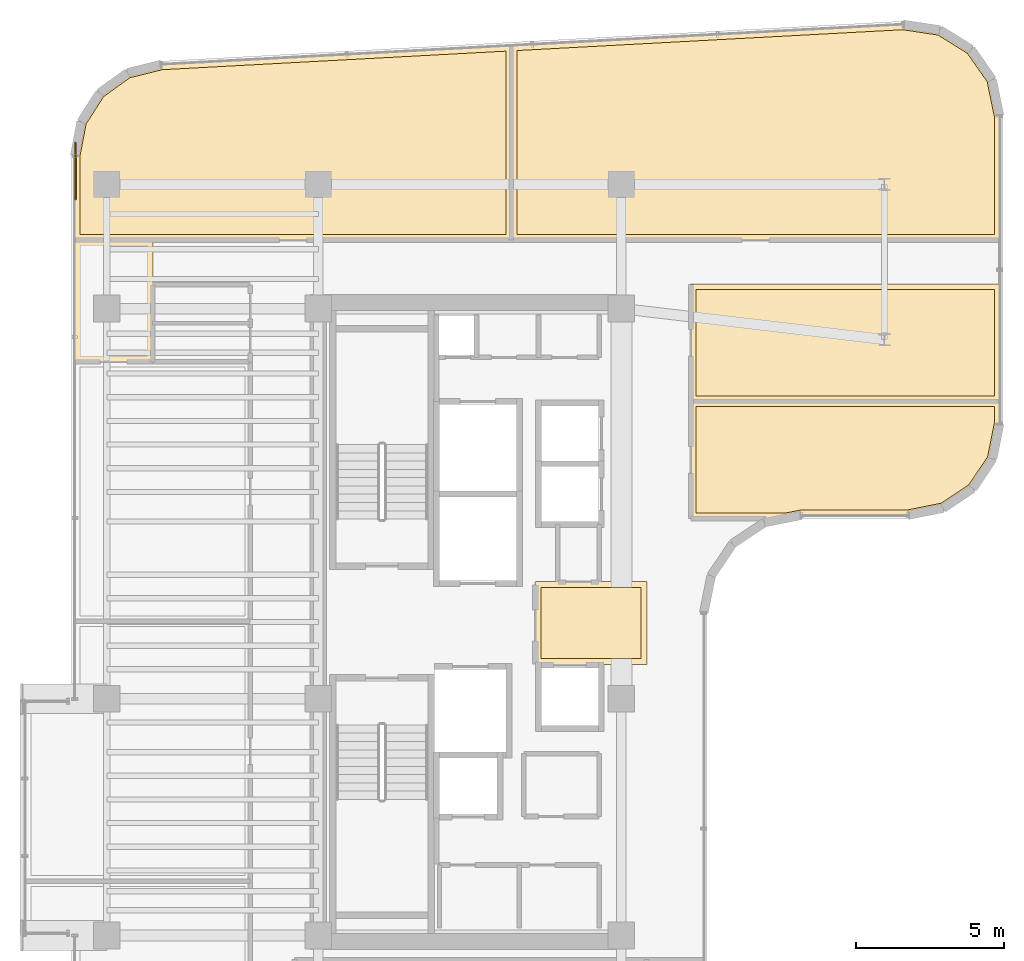
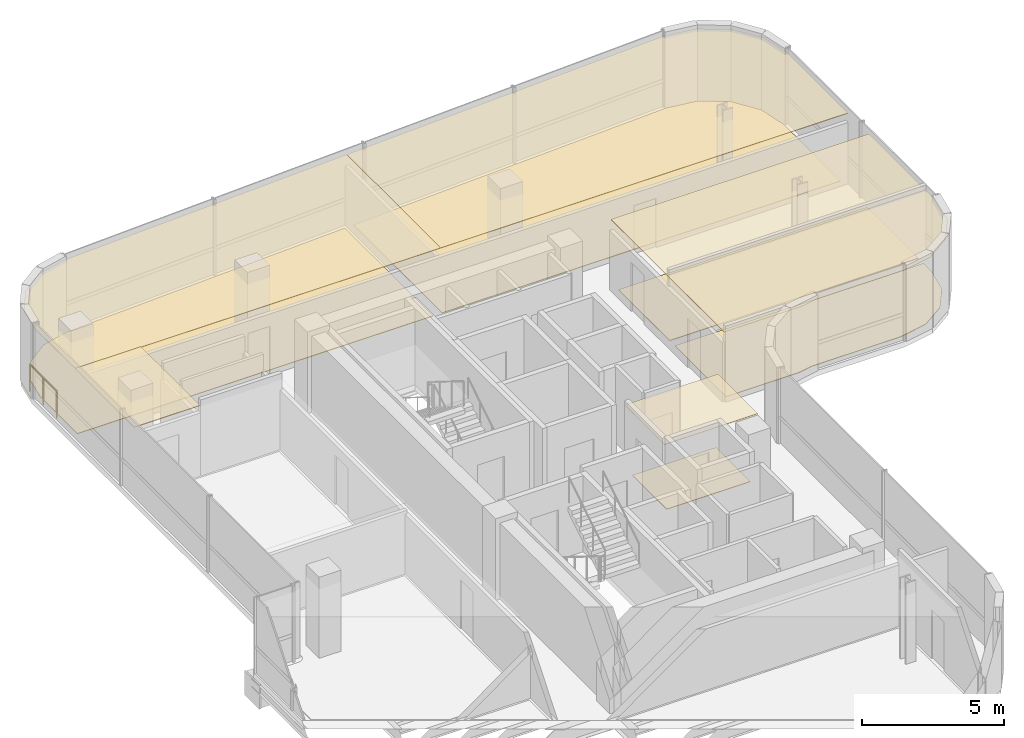
# One storey, part 22 of 22: 11 coverings, 1 railing.
"""IFC4 building model written with IfcOpenShell, lengths in metres."""

from ifc_helpers import new_model, si_unit, direction, frame, origin, origin_2d, place, context, subcontext, project, spatial, polyline, circle, outline, extrude, material, layer, layer_set, type_object, element, save


model = new_model("IFC4")

# Units and contexts
model_context = context("Model", 3, precision=1e-05, world=origin(), true_north=direction((0.0, 1.0)))
body_context = subcontext(model_context, "Body", "Model", "MODEL_VIEW")
ifc_project = project(units=[si_unit("LENGTHUNIT", "METRE"), si_unit("AREAUNIT", "SQUARE_METRE"), si_unit("VOLUMEUNIT", "CUBIC_METRE"), si_unit("PLANEANGLEUNIT", "RADIAN"), si_unit("MASSUNIT", "GRAM", prefix="KILO")], contexts=[model_context])

# Site, building, storey
site_placement = place(None, origin())
site = spatial("IfcSite", under=ifc_project, at=site_placement, CompositionType="ELEMENT")
building_placement = place(site_placement, origin())
building = spatial("IfcBuilding", under=site, at=building_placement, Name="Valdorenza Pilgrim Sanctuary Tower", CompositionType="ELEMENT")
storey_placement = place(building_placement, frame((0.0, 0.0, 237.0)))
storey = spatial("IfcBuildingStorey", under=building, at=storey_placement, Name="L61", CompositionType="ELEMENT", Elevation=237.0)

# Coverings
ifc_material_1 = material(Name="Micro-perforated acoustic mineral ceiling tile", Category="gypsum")
ifc_layer_1 = layer(ifc_material_1, 0.02490234375, Name="Micro-perforated acoustic mineral ceiling tile")
ifc_layer_set_1 = layer_set([ifc_layer_1], Name="Micro-perforated acoustic mineral ceiling tile")
covering_type_1 = type_object("IfcCoveringType", Name="COV-CLG-ACU", PredefinedType="CEILING", material=ifc_layer_set_1)
covering_1_placement = place(storey_placement, frame((0.0, 0.0, 2.9599609375)))
element("IfcCovering", 1, at=covering_1_placement, inside=storey, type_object=covering_type_1, Name="L61 Core A Passenger Lift Lobby Acoustic Ceiling", PredefinedType="CEILING", context=body_context, shape_type="SweptSolid", body=[
    extrude(outline(polyline([(-15.31494140625, 1.35009765625), (-15.31494140625, 1.3515625), (-15.314697265625, 1.352783203125), (-15.314453125, 1.3544921875), (-15.31396484375, 1.355712890625), (-15.313232421875, 1.357177734375), (-15.3125, 1.3583984375), (-15.3115234375, 1.359619140625), (-15.310546875, 1.360595703125), (-15.3095703125, 1.361572265625), (-15.308349609375, 1.362548828125), (-15.30712890625, 1.36328125), (-15.3056640625, 1.364013671875), (-15.304443359375, 1.364501953125), (-15.302978515625, 1.36474609375), (-15.301513671875, 1.364990234375), (-15.300048828125, 1.364990234375), (-11.550048828125, 1.364990234375), (-11.548583984375, 1.364990234375), (-11.547119140625, 1.36474609375), (-11.545654296875, 1.364501953125), (-11.544189453125, 1.364013671875), (-11.54296875, 1.36328125), (-11.541748046875, 1.362548828125), (-11.54052734375, 1.361572265625), (-11.539306640625, 1.360595703125), (-11.538330078125, 1.359619140625), (-11.53759765625, 1.3583984375), (-11.536865234375, 1.357177734375), (-11.5361328125, 1.355712890625), (-11.53564453125, 1.3544921875), (-11.535400390625, 1.352783203125), (-11.53515625, 1.3515625), (-11.534912109375, 1.35009765625), (-11.534912109375, -1.419921875), (-11.53515625, -1.42138671875), (-11.535400390625, -1.4228515625), (-11.53564453125, -1.42431640625), (-11.5361328125, -1.42578125), (-11.536865234375, -1.427001953125), (-11.53759765625, -1.42822265625), (-11.538330078125, -1.429443359375), (-11.539306640625, -1.4306640625), (-11.54052734375, -1.431640625), (-11.541748046875, -1.4326171875), (-11.54296875, -1.43310546875), (-11.544189453125, -1.433837890625), (-11.545654296875, -1.434326171875), (-11.547119140625, -1.434814453125), (-11.548583984375, -1.434814453125), (-11.550048828125, -1.43505859375), (-15.298095703125, -1.43505859375), (-15.299560546875, -1.434814453125), (-15.30078125, -1.434814453125), (-15.302490234375, -1.434326171875), (-15.3037109375, -1.433837890625), (-15.30517578125, -1.43310546875), (-15.306396484375, -1.4326171875), (-15.3076171875, -1.431640625), (-15.30859375, -1.4306640625), (-15.3095703125, -1.429443359375), (-15.310546875, -1.42822265625), (-15.311279296875, -1.427001953125), (-15.31201171875, -1.42578125), (-15.3125, -1.42431640625), (-15.312744140625, -1.4228515625), (-15.31298828125, -1.42138671875), (-15.31298828125, -1.419921875), (-15.31298828125, 1.244384765625), (-15.31298828125, 1.24462890625), (-15.313720703125, 1.24609375), (-15.314208984375, 1.24755859375), (-15.314697265625, 1.2490234375), (-15.31494140625, 1.25048828125), (-15.31494140625, 1.251953125), (-15.31494140625, 1.35009765625)])), origin(), (0.0, 0.0, 1.0), 0.025146484375),
])
covering_2_placement = place(storey_placement, frame((0.0, 0.0, 2.9599609375)))
element("IfcCovering", 2, at=covering_2_placement, inside=storey, type_object=covering_type_1, Name="L61 Pilgrim Scholar Office L61-WN Acoustic Ceiling", PredefinedType="CEILING", context=body_context, shape_type="SweptSolid", body=[
    extrude(outline(polyline([(-28.237060546875, 11.39453125), (-28.237060546875, 10.103759765625), (-28.23681640625, 10.10302734375), (-28.23681640625, 10.1015625), (-28.23681640625, 10.10009765625), (-28.23681640625, 10.098388671875), (-28.237060546875, 10.09814453125), (-28.237060546875, 8.800048828125), (-28.237060546875, 8.798583984375), (-28.2373046875, 8.797119140625), (-28.237548828125, 8.795654296875), (-28.238037109375, 8.794189453125), (-28.23876953125, 8.79296875), (-28.239501953125, 8.791748046875), (-28.240478515625, 8.79052734375), (-28.241455078125, 8.789306640625), (-28.242431640625, 8.788330078125), (-28.24365234375, 8.78759765625), (-28.244873046875, 8.786865234375), (-28.246337890625, 8.7861328125), (-28.24755859375, 8.78564453125), (-28.2490234375, 8.785400390625), (-28.25048828125, 8.78515625), (-28.251953125, 8.784912109375), (-30.889892578125, 8.784912109375), (-30.8916015625, 8.78515625), (-30.892822265625, 8.785400390625), (-30.894287109375, 8.78564453125), (-30.895751953125, 8.7861328125), (-30.897216796875, 8.786865234375), (-30.898193359375, 8.78759765625), (-30.8994140625, 8.788330078125), (-30.900634765625, 8.789306640625), (-30.901611328125, 8.79052734375), (-30.902587890625, 8.791748046875), (-30.9033203125, 8.79296875), (-30.90380859375, 8.794189453125), (-30.904296875, 8.795654296875), (-30.90478515625, 8.797119140625), (-30.90478515625, 8.798583984375), (-30.905029296875, 8.800048828125), (-30.905029296875, 12.919921875), (-30.90478515625, 12.92138671875), (-30.90478515625, 12.9228515625), (-30.904296875, 12.92431640625), (-30.90380859375, 12.92578125), (-30.9033203125, 12.927001953125), (-30.902587890625, 12.92822265625), (-30.901611328125, 12.929443359375), (-30.900634765625, 12.9306640625), (-30.8994140625, 12.931640625), (-30.898193359375, 12.9326171875), (-30.897216796875, 12.93310546875), (-30.895751953125, 12.933837890625), (-30.894287109375, 12.934326171875), (-30.892822265625, 12.934814453125), (-30.8916015625, 12.934814453125), (-30.889892578125, 12.93505859375), (-28.25, 12.93505859375), (-28.24853515625, 12.934814453125), (-28.2470703125, 12.934814453125), (-28.24560546875, 12.934326171875), (-28.244384765625, 12.933837890625), (-28.242919921875, 12.93310546875), (-28.24169921875, 12.9326171875), (-28.240478515625, 12.931640625), (-28.239501953125, 12.9306640625), (-28.23828125, 12.929443359375), (-28.237548828125, 12.92822265625), (-28.23681640625, 12.927001953125), (-28.236083984375, 12.92578125), (-28.235595703125, 12.92431640625), (-28.2353515625, 12.9228515625), (-28.235107421875, 12.92138671875), (-28.235107421875, 12.919921875), (-28.235107421875, 11.402099609375), (-28.235107421875, 11.400390625), (-28.2353515625, 11.39892578125), (-28.235595703125, 11.3974609375), (-28.236083984375, 11.39599609375), (-28.23681640625, 11.394775390625), (-28.237060546875, 11.39453125)])), origin(), (0.0, 0.0, 1.0), 0.025146484375),
])
covering_3_placement = place(storey_placement, frame((0.0, 0.0, 2.9599609375)))
element("IfcCovering", 3, at=covering_3_placement, inside=storey, type_object=covering_type_1, Name="L61 Private Banquet Dining Room L61-N1 Acoustic Ceiling", PredefinedType="CEILING", context=body_context, shape_type="SweptSolid", body=[
    extrude(outline(polyline([(-28.25537109375, 12.906982421875), (-30.889892578125, 12.906982421875), (-30.8916015625, 12.906982421875), (-30.892822265625, 12.9072265625), (-30.894287109375, 12.90771484375), (-30.895751953125, 12.908203125), (-30.897216796875, 12.90869140625), (-30.898193359375, 12.909423828125), (-30.8994140625, 12.910400390625), (-30.900634765625, 12.911376953125), (-30.901611328125, 12.91259765625), (-30.902587890625, 12.913818359375), (-30.9033203125, 12.914794921875), (-30.90380859375, 12.916259765625), (-30.904296875, 12.91748046875), (-30.90478515625, 12.919189453125), (-30.90478515625, 12.92041015625), (-30.905029296875, 12.922119140625), (-30.905029296875, 15.757568359375), (-30.90478515625, 15.759033203125), (-30.90478515625, 15.760498046875), (-30.683349609375, 16.9140625), (-30.68310546875, 16.915283203125), (-30.6826171875, 16.916748046875), (-30.681884765625, 16.918212890625), (-30.681396484375, 16.919189453125), (-30.05419921875, 17.89990234375), (-30.053466796875, 17.901123046875), (-30.052490234375, 17.90234375), (-30.051513671875, 17.9033203125), (-30.05029296875, 17.904052734375), (-29.104736328125, 18.5830078125), (-29.103515625, 18.583740234375), (-29.102294921875, 18.58447265625), (-29.10107421875, 18.5849609375), (-29.099609375, 18.58544921875), (-27.959716796875, 18.86865234375), (-27.958251953125, 18.868896484375), (-27.956787109375, 18.869140625), (-16.120849609375, 19.5078125), (-16.119384765625, 19.5078125), (-16.117919921875, 19.5078125), (-16.116455078125, 19.507568359375), (-16.115234375, 19.507080078125), (-16.11376953125, 19.506591796875), (-16.112548828125, 19.505859375), (-16.111328125, 19.505126953125), (-16.110107421875, 19.50439453125), (-16.109130859375, 19.50341796875), (-16.108154296875, 19.502197265625), (-16.107421875, 19.5009765625), (-16.106689453125, 19.499755859375), (-16.106201171875, 19.49853515625), (-16.105712890625, 19.4970703125), (-16.105224609375, 19.49560546875), (-16.10498046875, 19.494384765625), (-16.10498046875, 19.492919921875), (-16.10498046875, 12.919921875), (-16.10498046875, 12.91845703125), (-16.105224609375, 12.9169921875), (-16.105712890625, 12.91552734375), (-16.106201171875, 12.914306640625), (-16.106689453125, 12.912841796875), (-16.107421875, 12.91162109375), (-16.1083984375, 12.910400390625), (-16.109375, 12.909423828125), (-16.110595703125, 12.908447265625), (-16.11181640625, 12.907470703125), (-16.11279296875, 12.90673828125), (-16.1142578125, 12.906005859375), (-16.115478515625, 12.905517578125), (-16.1171875, 12.9052734375), (-16.118408203125, 12.905029296875), (-16.1201171875, 12.905029296875), (-28.248046875, 12.905029296875), (-28.24951171875, 12.905029296875), (-28.250732421875, 12.9052734375), (-28.252197265625, 12.905517578125), (-28.253662109375, 12.906005859375), (-28.2548828125, 12.90673828125), (-28.25537109375, 12.906982421875)])), origin(), (0.0, 0.0, 1.0), 0.025146484375),
])
covering_4_placement = place(storey_placement, frame((0.0, 0.0, 2.9599609375)))
element("IfcCovering", 4, at=covering_4_placement, inside=storey, type_object=covering_type_1, Name="L61 Private Banquet Dining Room L61-N2 Acoustic Ceiling", PredefinedType="CEILING", context=body_context, shape_type="SweptSolid", body=[
    extrude(outline(polyline([(-16.133056640625, 19.492919921875), (-16.133056640625, 19.49365234375), (-16.1328125, 19.4951171875), (-16.132568359375, 19.49658203125), (-16.132080078125, 19.498046875), (-16.131591796875, 19.49951171875), (-16.130859375, 19.500732421875), (-16.130126953125, 19.501953125), (-16.129150390625, 19.503173828125), (-16.128173828125, 19.504150390625), (-16.126953125, 19.5048828125), (-16.125732421875, 19.505859375), (-16.12451171875, 19.506591796875), (-16.123046875, 19.507080078125), (-16.12158203125, 19.507568359375), (-16.120361328125, 19.5078125), (-16.118896484375, 19.508056640625), (-2.87841796875, 20.222412109375), (-2.876953125, 20.222412109375), (-2.87548828125, 20.222412109375), (-1.63232421875, 20.035400390625), (-1.630859375, 20.03515625), (-1.62939453125, 20.034912109375), (-1.628173828125, 20.0341796875), (-1.626708984375, 20.033447265625), (-0.568359375, 19.376708984375), (-0.567138671875, 19.3759765625), (-0.56591796875, 19.375), (-0.56494140625, 19.373779296875), (-0.56396484375, 19.372802734375), (0.148681640625, 18.351318359375), (0.1494140625, 18.349853515625), (0.150146484375, 18.3486328125), (0.150634765625, 18.34716796875), (0.151123046875, 18.345703125), (0.40478515625, 17.114501953125), (0.40478515625, 17.11279296875), (0.405029296875, 17.111328125), (0.405029296875, 12.919921875), (0.40478515625, 12.91845703125), (0.40478515625, 12.9169921875), (0.404296875, 12.91552734375), (0.40380859375, 12.914306640625), (0.4033203125, 12.912841796875), (0.402587890625, 12.91162109375), (0.401611328125, 12.910400390625), (0.400634765625, 12.909423828125), (0.3994140625, 12.908447265625), (0.398193359375, 12.907470703125), (0.397216796875, 12.90673828125), (0.395751953125, 12.906005859375), (0.394287109375, 12.905517578125), (0.392822265625, 12.9052734375), (0.3916015625, 12.905029296875), (0.389892578125, 12.905029296875), (-16.117919921875, 12.905029296875), (-16.119384765625, 12.905029296875), (-16.120849609375, 12.9052734375), (-16.122314453125, 12.905517578125), (-16.123779296875, 12.906005859375), (-16.125, 12.90673828125), (-16.126220703125, 12.907470703125), (-16.12744140625, 12.908447265625), (-16.128662109375, 12.909423828125), (-16.129638671875, 12.910400390625), (-16.130615234375, 12.91162109375), (-16.131103515625, 12.912841796875), (-16.1318359375, 12.914306640625), (-16.13232421875, 12.91552734375), (-16.1328125, 12.9169921875), (-16.1328125, 12.91845703125), (-16.133056640625, 12.919921875), (-16.133056640625, 19.492919921875), (-16.133056640625, 19.492919921875)])), origin(), (0.0, 0.0, 1.0), 0.025146484375),
])
covering_5_placement = place(storey_placement, frame((0.0, 0.0, 2.9599609375)))
element("IfcCovering", 5, at=covering_5_placement, inside=storey, type_object=covering_type_1, Name="L61 Sacred Art Exhibition Gallery L61-E1 Acoustic Ceiling", PredefinedType="CEILING", context=body_context, shape_type="SweptSolid", body=[
    extrude(outline(polyline([(-10.06494140625, 7.4599609375), (-10.06494140625, 7.46142578125), (-10.064697265625, 7.462890625), (-10.064453125, 7.46435546875), (-10.06396484375, 7.4658203125), (-10.063232421875, 7.467041015625), (-10.0625, 7.46826171875), (-10.0615234375, 7.469482421875), (-10.060546875, 7.470703125), (-10.0595703125, 7.4716796875), (-10.058349609375, 7.472412109375), (-10.05712890625, 7.47314453125), (-10.0556640625, 7.473876953125), (-10.054443359375, 7.474365234375), (-10.052978515625, 7.474609375), (-10.051513671875, 7.474853515625), (-10.050048828125, 7.47509765625), (0.389892578125, 7.47509765625), (0.3916015625, 7.474853515625), (0.392822265625, 7.474609375), (0.394287109375, 7.474365234375), (0.395751953125, 7.473876953125), (0.397216796875, 7.47314453125), (0.398193359375, 7.472412109375), (0.3994140625, 7.4716796875), (0.400634765625, 7.470703125), (0.401611328125, 7.469482421875), (0.402587890625, 7.46826171875), (0.4033203125, 7.467041015625), (0.40380859375, 7.4658203125), (0.404296875, 7.46435546875), (0.40478515625, 7.462890625), (0.40478515625, 7.46142578125), (0.405029296875, 7.4599609375), (0.405029296875, 6.710693359375), (0.40478515625, 6.70947265625), (0.40478515625, 6.7080078125), (0.16748046875, 5.515380859375), (0.1669921875, 5.513916015625), (0.16650390625, 5.5126953125), (0.166015625, 5.51123046875), (0.165283203125, 5.510009765625), (-0.504150390625, 4.50830078125), (-0.5048828125, 4.507080078125), (-0.506103515625, 4.506103515625), (-0.507080078125, 4.5048828125), (-0.50830078125, 4.504150390625), (-1.510009765625, 3.834716796875), (-1.51123046875, 3.833984375), (-1.5126953125, 3.83349609375), (-1.513916015625, 3.8330078125), (-1.515380859375, 3.83251953125), (-2.7080078125, 3.59521484375), (-2.70947265625, 3.59521484375), (-2.710693359375, 3.594970703125), (-6.299560546875, 3.594970703125), (-6.309326171875, 3.594482421875), (-6.31884765625, 3.593017578125), (-6.86083984375, 3.4853515625), (-6.8623046875, 3.485107421875), (-6.86376953125, 3.485107421875), (-10.050048828125, 3.485107421875), (-10.051513671875, 3.485107421875), (-10.052978515625, 3.4853515625), (-10.054443359375, 3.485595703125), (-10.0556640625, 3.486083984375), (-10.05712890625, 3.48681640625), (-10.058349609375, 3.487548828125), (-10.0595703125, 3.48828125), (-10.060546875, 3.489501953125), (-10.0615234375, 3.490478515625), (-10.0625, 3.49169921875), (-10.063232421875, 3.492919921875), (-10.06396484375, 3.494384765625), (-10.064453125, 3.49560546875), (-10.064697265625, 3.4970703125), (-10.06494140625, 3.49853515625), (-10.06494140625, 3.5), (-10.06494140625, 7.4599609375)])), origin(), (0.0, 0.0, 1.0), 0.025146484375),
])
covering_6_placement = place(storey_placement, frame((0.0, 0.0, 2.9599609375)))
element("IfcCovering", 6, at=covering_6_placement, inside=storey, type_object=covering_type_1, Name="L61 Sacred Art Exhibition Gallery L61-E2 Acoustic Ceiling", PredefinedType="CEILING", context=body_context, shape_type="SweptSolid", body=[
    extrude(outline(polyline([(-10.06494140625, 11.419921875), (-10.06494140625, 11.42138671875), (-10.064697265625, 11.4228515625), (-10.064453125, 11.42431640625), (-10.06396484375, 11.42578125), (-10.063232421875, 11.427001953125), (-10.0625, 11.42822265625), (-10.0615234375, 11.429443359375), (-10.060546875, 11.4306640625), (-10.0595703125, 11.431640625), (-10.058349609375, 11.4326171875), (-10.05712890625, 11.43310546875), (-10.0556640625, 11.433837890625), (-10.054443359375, 11.434326171875), (-10.052978515625, 11.434814453125), (-10.051513671875, 11.434814453125), (-10.050048828125, 11.43505859375), (0.389892578125, 11.43505859375), (0.3916015625, 11.434814453125), (0.392822265625, 11.434814453125), (0.394287109375, 11.434326171875), (0.395751953125, 11.433837890625), (0.397216796875, 11.43310546875), (0.398193359375, 11.4326171875), (0.3994140625, 11.431640625), (0.400634765625, 11.4306640625), (0.401611328125, 11.429443359375), (0.402587890625, 11.42822265625), (0.4033203125, 11.427001953125), (0.40380859375, 11.42578125), (0.404296875, 11.42431640625), (0.40478515625, 11.4228515625), (0.40478515625, 11.42138671875), (0.405029296875, 11.419921875), (0.405029296875, 7.4619140625), (0.40478515625, 7.46044921875), (0.40478515625, 7.458984375), (0.404296875, 7.45751953125), (0.40380859375, 7.456298828125), (0.4033203125, 7.454833984375), (0.402587890625, 7.45361328125), (0.401611328125, 7.452392578125), (0.400634765625, 7.451416015625), (0.3994140625, 7.450439453125), (0.398193359375, 7.449462890625), (0.397216796875, 7.44873046875), (0.395751953125, 7.447998046875), (0.394287109375, 7.447509765625), (0.392822265625, 7.447265625), (0.3916015625, 7.447021484375), (0.389892578125, 7.447021484375), (-10.050048828125, 7.447021484375), (-10.051513671875, 7.447021484375), (-10.052978515625, 7.447265625), (-10.054443359375, 7.447509765625), (-10.0556640625, 7.447998046875), (-10.05712890625, 7.44873046875), (-10.058349609375, 7.449462890625), (-10.0595703125, 7.450439453125), (-10.060546875, 7.451416015625), (-10.0615234375, 7.452392578125), (-10.0625, 7.45361328125), (-10.063232421875, 7.454833984375), (-10.06396484375, 7.456298828125), (-10.064453125, 7.45751953125), (-10.064697265625, 7.458984375), (-10.06494140625, 7.46044921875), (-10.06494140625, 7.4619140625), (-10.06494140625, 11.419921875)])), origin(), (0.0, 0.0, 1.0), 0.025146484375),
])
ifc_material_2 = material(Name="Engineered European oak timber flooring", Category="wood")
ifc_layer_2 = layer(ifc_material_2, 0.02197265625, Name="Engineered European oak timber flooring")
ifc_layer_set_2 = layer_set([ifc_layer_2], Name="Engineered European oak timber flooring")
covering_type_2 = type_object("IfcCoveringType", Name="COV-FLR-OAK", PredefinedType="FLOORING", material=ifc_layer_set_2)
covering_7_placement = place(storey_placement, origin())
element("IfcCovering", 7, at=covering_7_placement, inside=storey, type_object=covering_type_2, Name="L61 Private Banquet Dining Room L61-N1 Flooring", PredefinedType="FLOORING", context=body_context, shape_type="SweptSolid", body=[
    extrude(outline(polyline([(-28.22314453125, 13.10009765625), (-28.22314453125, 13.10009765625), (-28.223388671875, 13.10009765625), (-28.240966796875, 13.101806640625), (-28.2412109375, 13.101806640625), (-28.25, 13.10205078125), (-30.7099609375, 13.10205078125), (-30.7099609375, 15.740478515625), (-30.498291015625, 16.843505859375), (-29.90869140625, 17.765869140625), (-29.019287109375, 18.404541015625), (-27.92919921875, 18.67529296875), (-16.300048828125, 19.302978515625), (-16.300048828125, 13.10009765625), (-28.22314453125, 13.10009765625)])), origin(), (0.0, 0.0, 1.0), 0.02490234375),
])
covering_8_placement = place(storey_placement, origin())
element("IfcCovering", 8, at=covering_8_placement, inside=storey, type_object=covering_type_2, Name="L61 Private Banquet Dining Room L61-N2 Flooring", PredefinedType="FLOORING", context=body_context, shape_type="SweptSolid", body=[
    extrude(outline(polyline([(-2.88623046875, 20.02685546875), (-1.697998046875, 19.84814453125), (-0.70263671875, 19.230712890625), (-0.032470703125, 18.27001953125), (0.2099609375, 17.093017578125), (0.2099609375, 13.10009765625), (-15.93798828125, 13.10009765625), (-15.93798828125, 19.322265625), (-2.88623046875, 20.02685546875)])), origin(), (0.0, 0.0, 1.0), 0.02490234375),
])
ifc_material_3 = material(Name="Honed travertine stone flooring", Category="masonry")
ifc_layer_3 = layer(ifc_material_3, 0.030029296875, Name="Honed travertine stone flooring")
ifc_layer_set_3 = layer_set([ifc_layer_3], Name="Honed travertine stone flooring")
covering_type_3 = type_object("IfcCoveringType", Name="COV-FLR-TRV", PredefinedType="FLOORING", material=ifc_layer_set_3)
covering_9_placement = place(storey_placement, origin())
element("IfcCovering", 9, at=covering_9_placement, inside=storey, type_object=covering_type_3, Name="L61 Core A Passenger Lift Lobby Flooring", PredefinedType="FLOORING", context=body_context, shape_type="SweptSolid", body=[
    extrude(outline(polyline([(-15.117919921875, 1.169921875), (-11.72998046875, 1.169921875), (-11.72998046875, -1.239990234375), (-15.117919921875, -1.239990234375), (-15.117919921875, 1.169921875)])), origin(), (0.0, 0.0, 1.0), 0.02490234375),
])
covering_10_placement = place(storey_placement, origin())
element("IfcCovering", 10, at=covering_10_placement, inside=storey, type_object=covering_type_3, Name="L61 Sacred Art Exhibition Gallery L61-E1 Flooring", PredefinedType="FLOORING", context=body_context, shape_type="SweptSolid", body=[
    extrude(outline(polyline([(-9.8701171875, 7.280029296875), (0.2099609375, 7.280029296875), (0.2099609375, 6.728515625), (-0.016845703125, 5.588623046875), (-0.646484375, 4.646484375), (-1.588623046875, 4.016845703125), (-2.728515625, 3.7900390625), (-6.300048828125, 3.7900390625), (-6.308837890625, 3.789794921875), (-6.319580078125, 3.789306640625), (-6.337158203125, 3.78759765625), (-6.347900390625, 3.785888671875), (-6.356689453125, 3.784423828125), (-6.881591796875, 3.679931640625), (-9.8701171875, 3.679931640625), (-9.8701171875, 7.280029296875)])), origin(), (0.0, 0.0, 1.0), 0.02490234375),
])
covering_11_placement = place(storey_placement, origin())
element("IfcCovering", 11, at=covering_11_placement, inside=storey, type_object=covering_type_3, Name="L61 Sacred Art Exhibition Gallery L61-E2 Flooring", PredefinedType="FLOORING", context=body_context, shape_type="SweptSolid", body=[
    extrude(outline(polyline([(-9.8701171875, 11.239990234375), (0.2099609375, 11.239990234375), (0.2099609375, 7.64208984375), (-9.8701171875, 7.64208984375), (-9.8701171875, 11.239990234375)])), origin(), (0.0, 0.0, 1.0), 0.02490234375),
])

# Railing
ifc_material_4 = material(Name="Stainless steel Grade 316", Category="steel")
railing_type = type_object("IfcRailingType", Name="RLG-GRD-1120", PredefinedType="GUARDRAIL", material=ifc_material_4)
railing_placement = place(storey_placement, frame((-30.860107421875, 14.300048828125, 0.0)))
element("IfcRailing", 12, at=railing_placement, inside=storey, type_object=railing_type, Name="L61 NW Tangent Safety Sill Guard", PredefinedType="GUARDRAIL", context=body_context, shape_type="SweptSolid", body=[
    extrude(circle(Radius=0.02392578125, at=origin_2d()), frame((0.0, 0.0, 1.17578125), z_axis=(0.0, 1.0, 0.0), x_axis=(-1.0, 0.0, 0.0)), (0.0, 0.0, 1.0), 1.89990234375),
    extrude(circle(Radius=0.02099609375, at=origin_2d()), origin(), (0.0, 0.0, 1.0), 1.15185546875),
    extrude(circle(Radius=0.02099609375, at=origin_2d()), frame((0.0, 0.949951171875, 0.0)), (0.0, 0.0, 1.0), 1.15185546875),
    extrude(circle(Radius=0.02099609375, at=origin_2d()), frame((0.0, 1.89990234375, 0.0)), (0.0, 0.0, 1.0), 1.15185546875),
])

save(model, "model.ifc")
